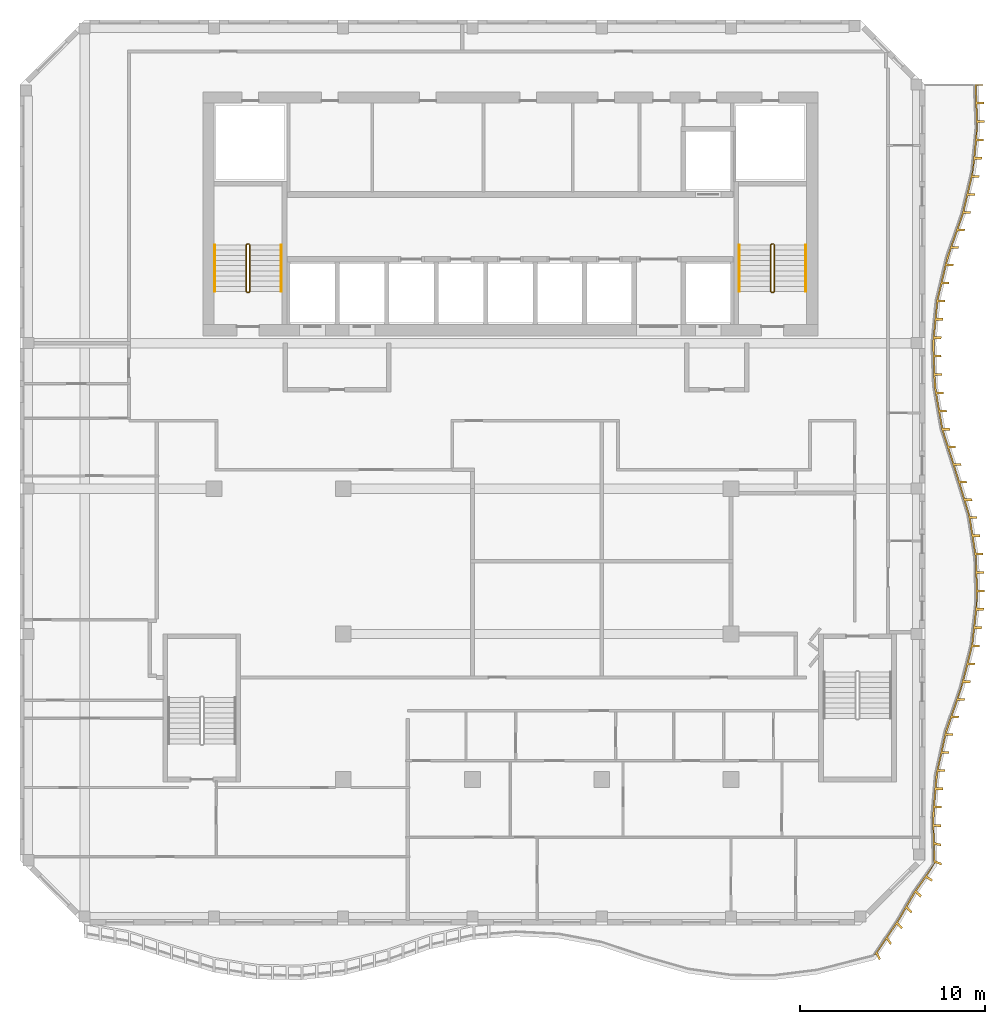
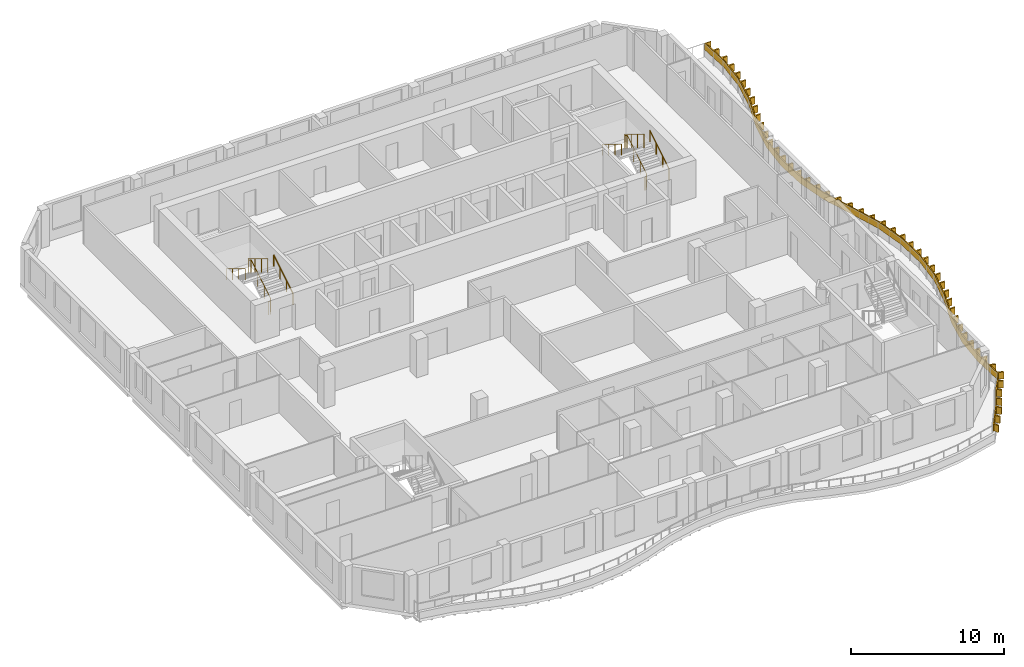
# One storey, part 14 of 14: 6 railings, 1 shading device.
"""IFC4 building model written with IfcOpenShell, lengths in metres."""

from ifc_helpers import new_model, si_unit, direction, frame, origin, origin_2d, place, context, subcontext, project, spatial, polyline, circle, outline, extrude, source, transform, mapped, material, layer, layer_set, type_object, element, save


model = new_model("IFC4")

# Units and contexts
model_context = context("Model", 3, precision=1e-05, world=origin(), true_north=direction((0.0, 1.0)))
body_context = subcontext(model_context, "Body", "Model", "MODEL_VIEW")
ifc_project = project(units=[si_unit("LENGTHUNIT", "METRE"), si_unit("AREAUNIT", "SQUARE_METRE"), si_unit("VOLUMEUNIT", "CUBIC_METRE"), si_unit("PLANEANGLEUNIT", "RADIAN"), si_unit("MASSUNIT", "GRAM", prefix="KILO")], contexts=[model_context])

# Site, building, storey
site_placement = place(None, origin())
site = spatial("IfcSite", under=ifc_project, at=site_placement, CompositionType="ELEMENT")
building_placement = place(site_placement, origin())
building = spatial("IfcBuilding", under=site, at=building_placement, Name="Kilnfold Tower and Market Hall", CompositionType="ELEMENT")
storey_placement = place(building_placement, frame((0.0, 0.0, 315.39990234375)))
storey = spatial("IfcBuildingStorey", under=building, at=storey_placement, Name="L79", CompositionType="ELEMENT", Elevation=315.39990234375)

# Railings
ifc_material_1 = material(Name="Stainless steel 316", Category="steel")
railing_type_1 = type_object("IfcRailingType", Name="CORE STAIR GUARD 1100", PredefinedType="GUARDRAIL", material=ifc_material_1)
railing_1_placement = place(storey_placement, frame((-13.199951171875, 10.75, 0.0)))
element("IfcRailing", 1, at=railing_1_placement, inside=storey, type_object=railing_type_1, Name="L79 ST1 stair guard 1", PredefinedType="GUARDRAIL", context=body_context, shape_type="SweptSolid", body=[
    extrude(circle(Radius=0.02392578125, at=origin_2d()), frame((0.0, 0.0, 1.076171875), z_axis=(1.0, 0.0, 0.0), x_axis=(0.0, 1.0, 0.0)), (0.0, 0.0, 1.0), 0.099853515625),
    extrude(circle(Radius=0.02392578125, at=origin_2d()), frame((0.099853515625, 0.0, 1.076171875), z_axis=(0.271562723297, 0.271562723297, 0.923313259209), x_axis=(-0.707106781187, 0.707106781187, 0.0)), (0.0, 0.0, 1.0), 0.184326171875),
    extrude(circle(Radius=0.02392578125, at=origin_2d()), frame((0.14990234375, 0.050048828125, 1.24609375), z_axis=(0.0, 0.85478489116, 0.518982456201), x_axis=(-1.0, 0.0, 0.0)), (0.0, 0.0, 1.0), 2.9482421875),
    extrude(circle(Radius=0.02392578125, at=origin_2d()), frame((0.14990234375, 2.570068359375, 2.7763671875), z_axis=(-0.707106781187, 0.707106781187, 0.0), x_axis=(-0.707106781187, -0.707106781187, 0.0)), (0.0, 0.0, 1.0), 0.07080078125),
    extrude(circle(Radius=0.02392578125, at=origin_2d()), frame((0.099853515625, 2.6201171875, 2.7763671875), z_axis=(-1.0, 0.0, 0.0), x_axis=(0.0, -1.0, 0.0)), (0.0, 0.0, 1.0), 0.099853515625),
    extrude(circle(Radius=0.02392578125, at=origin_2d()), frame((0.0, 2.6201171875, 2.7763671875), z_axis=(-0.271895245746, -0.271895245746, 0.923117517265), x_axis=(0.707106781187, -0.707106781187, 0.0)), (0.0, 0.0, 1.0), 0.18408203125),
    extrude(circle(Radius=0.02392578125, at=origin_2d()), frame((-0.050048828125, 2.570068359375, 2.9462890625), z_axis=(0.0, -0.85478489116, 0.518982456201), x_axis=(1.0, 0.0, 0.0)), (0.0, 0.0, 1.0), 2.9482421875),
    extrude(circle(Radius=0.02099609375, at=origin_2d()), origin(), (0.0, 0.0, 1.0), 1.052001953125),
    extrude(circle(Radius=0.02099609375, at=origin_2d()), frame((0.099853515625, 0.0, 0.0)), (0.0, 0.0, 1.0), 1.052001953125),
    extrude(circle(Radius=0.02099609375, at=origin_2d()), frame((0.14990234375, 0.050048828125, 0.170166015625)), (0.0, 0.0, 1.0), 1.052001953125),
    extrude(circle(Radius=0.02099609375, at=origin_2d()), frame((0.14990234375, 0.89013671875, 0.68017578125)), (0.0, 0.0, 1.0), 1.052001953125),
    extrude(circle(Radius=0.02099609375, at=origin_2d()), frame((0.14990234375, 1.72998046875, 1.190185546875)), (0.0, 0.0, 1.0), 1.052001953125),
    extrude(circle(Radius=0.02099609375, at=origin_2d()), frame((0.14990234375, 2.570068359375, 1.7001953125)), (0.0, 0.0, 1.0), 1.052001953125),
    extrude(circle(Radius=0.02099609375, at=origin_2d()), frame((0.099853515625, 2.6201171875, 1.7001953125)), (0.0, 0.0, 1.0), 1.052001953125),
    extrude(circle(Radius=0.02099609375, at=origin_2d()), frame((0.0, 2.6201171875, 1.7001953125)), (0.0, 0.0, 1.0), 1.052001953125),
    extrude(circle(Radius=0.02099609375, at=origin_2d()), frame((-0.050048828125, 2.570068359375, 1.8701171875)), (0.0, 0.0, 1.0), 1.052001953125),
    extrude(circle(Radius=0.02099609375, at=origin_2d()), frame((-0.050048828125, 1.72998046875, 2.380126953125)), (0.0, 0.0, 1.0), 1.052001953125),
    extrude(circle(Radius=0.02099609375, at=origin_2d()), frame((-0.050048828125, 0.89013671875, 2.89013671875)), (0.0, 0.0, 1.0), 1.052001953125),
    extrude(circle(Radius=0.02099609375, at=origin_2d()), frame((-0.050048828125, 0.050048828125, 3.400146484375)), (0.0, 0.0, 1.0), 1.052001953125),
])
railing_2_placement = place(storey_placement, frame((15.199951171875, 10.75, 0.0)))
element("IfcRailing", 2, at=railing_2_placement, inside=storey, type_object=railing_type_1, Name="L79 ST2 stair guard 1", PredefinedType="GUARDRAIL", context=body_context, shape_type="SweptSolid", body=[
    extrude(circle(Radius=0.02392578125, at=origin_2d()), frame((0.0, 0.0, 1.076171875), z_axis=(1.0, 0.0, 0.0), x_axis=(0.0, 1.0, 0.0)), (0.0, 0.0, 1.0), 0.10009765625),
    extrude(circle(Radius=0.02392578125, at=origin_2d()), frame((0.10009765625, 0.0, 1.076171875), z_axis=(0.271562723297, 0.271562723297, 0.923313259209), x_axis=(-0.707106781187, 0.707106781187, 0.0)), (0.0, 0.0, 1.0), 0.184326171875),
    extrude(circle(Radius=0.02392578125, at=origin_2d()), frame((0.150146484375, 0.050048828125, 1.24609375), z_axis=(0.0, 0.85478489116, 0.518982456201), x_axis=(-1.0, 0.0, 0.0)), (0.0, 0.0, 1.0), 2.9482421875),
    extrude(circle(Radius=0.02392578125, at=origin_2d()), frame((0.150146484375, 2.570068359375, 2.7763671875), z_axis=(-0.707106781187, 0.707106781187, 0.0), x_axis=(-0.707106781187, -0.707106781187, 0.0)), (0.0, 0.0, 1.0), 0.07080078125),
    extrude(circle(Radius=0.02392578125, at=origin_2d()), frame((0.10009765625, 2.6201171875, 2.7763671875), z_axis=(-1.0, 0.0, 0.0), x_axis=(0.0, -1.0, 0.0)), (0.0, 0.0, 1.0), 0.10009765625),
    extrude(circle(Radius=0.02392578125, at=origin_2d()), frame((0.0, 2.6201171875, 2.7763671875), z_axis=(-0.271895245746, -0.271895245746, 0.923117517265), x_axis=(0.707106781187, -0.707106781187, 0.0)), (0.0, 0.0, 1.0), 0.18408203125),
    extrude(circle(Radius=0.02392578125, at=origin_2d()), frame((-0.050048828125, 2.570068359375, 2.9462890625), z_axis=(0.0, -0.85478489116, 0.518982456201), x_axis=(1.0, 0.0, 0.0)), (0.0, 0.0, 1.0), 2.9482421875),
    extrude(circle(Radius=0.02099609375, at=origin_2d()), origin(), (0.0, 0.0, 1.0), 1.052001953125),
    extrude(circle(Radius=0.02099609375, at=origin_2d()), frame((0.10009765625, 0.0, 0.0)), (0.0, 0.0, 1.0), 1.052001953125),
    extrude(circle(Radius=0.02099609375, at=origin_2d()), frame((0.150146484375, 0.050048828125, 0.170166015625)), (0.0, 0.0, 1.0), 1.052001953125),
    extrude(circle(Radius=0.02099609375, at=origin_2d()), frame((0.150146484375, 0.89013671875, 0.68017578125)), (0.0, 0.0, 1.0), 1.052001953125),
    extrude(circle(Radius=0.02099609375, at=origin_2d()), frame((0.150146484375, 1.72998046875, 1.190185546875)), (0.0, 0.0, 1.0), 1.052001953125),
    extrude(circle(Radius=0.02099609375, at=origin_2d()), frame((0.150146484375, 2.570068359375, 1.7001953125)), (0.0, 0.0, 1.0), 1.052001953125),
    extrude(circle(Radius=0.02099609375, at=origin_2d()), frame((0.10009765625, 2.6201171875, 1.7001953125)), (0.0, 0.0, 1.0), 1.052001953125),
    extrude(circle(Radius=0.02099609375, at=origin_2d()), frame((0.0, 2.6201171875, 1.7001953125)), (0.0, 0.0, 1.0), 1.052001953125),
    extrude(circle(Radius=0.02099609375, at=origin_2d()), frame((-0.050048828125, 2.570068359375, 1.8701171875)), (0.0, 0.0, 1.0), 1.052001953125),
    extrude(circle(Radius=0.02099609375, at=origin_2d()), frame((-0.050048828125, 1.72998046875, 2.380126953125)), (0.0, 0.0, 1.0), 1.052001953125),
    extrude(circle(Radius=0.02099609375, at=origin_2d()), frame((-0.050048828125, 0.89013671875, 2.89013671875)), (0.0, 0.0, 1.0), 1.052001953125),
    extrude(circle(Radius=0.02099609375, at=origin_2d()), frame((-0.050048828125, 0.050048828125, 3.400146484375)), (0.0, 0.0, 1.0), 1.052001953125),
])
ifc_material_2 = material(Name="Stainless steel 316", Category="steel")
railing_type_2 = type_object("IfcRailingType", Name="CORE STAIR HANDRAIL 900", PredefinedType="HANDRAIL", material=ifc_material_2)
railing_3_placement = place(storey_placement, frame((-11.35009765625, 10.800048828125, 0.170166015625)))
element("IfcRailing", 3, at=railing_3_placement, inside=storey, type_object=railing_type_2, Name="L79 ST1 stair handrail 1", PredefinedType="HANDRAIL", context=body_context, shape_type="SweptSolid", body=[
    extrude(circle(Radius=0.02392578125, at=origin_2d()), frame((0.0, 0.0, 0.8759765625), z_axis=(0.0, 0.85478489116, 0.518982456201), x_axis=(-1.0, 0.0, 0.0)), (0.0, 0.0, 1.0), 2.9482421875),
    extrude(circle(Radius=0.02099609375, at=origin_2d()), origin(), (0.0, 0.0, 1.0), 0.851806640625),
    extrude(circle(Radius=0.02099609375, at=origin_2d()), frame((0.0, 0.840087890625, 0.510009765625)), (0.0, 0.0, 1.0), 0.851806640625),
    extrude(circle(Radius=0.02099609375, at=origin_2d()), frame((0.0, 1.679931640625, 1.02001953125)), (0.0, 0.0, 1.0), 0.851806640625),
    extrude(circle(Radius=0.02099609375, at=origin_2d()), frame((0.0, 2.52001953125, 1.530029296875)), (0.0, 0.0, 1.0), 0.851806640625),
])
railing_4_placement = place(storey_placement, frame((-14.949951171875, 13.320068359375, 1.8701171875)))
element("IfcRailing", 4, at=railing_4_placement, inside=storey, type_object=railing_type_2, Name="L79 ST1 stair handrail 2", PredefinedType="HANDRAIL", context=body_context, shape_type="SweptSolid", body=[
    extrude(circle(Radius=0.02392578125, at=origin_2d()), frame((0.0, 0.0, 0.8759765625), z_axis=(0.0, -0.85478489116, 0.518982456201), x_axis=(1.0, 0.0, 0.0)), (0.0, 0.0, 1.0), 2.9482421875),
    extrude(circle(Radius=0.02099609375, at=origin_2d()), origin(), (0.0, 0.0, 1.0), 0.851806640625),
    extrude(circle(Radius=0.02099609375, at=origin_2d()), frame((0.0, -0.840087890625, 0.510009765625)), (0.0, 0.0, 1.0), 0.851806640625),
    extrude(circle(Radius=0.02099609375, at=origin_2d()), frame((0.0, -1.679931640625, 1.02001953125)), (0.0, 0.0, 1.0), 0.851806640625),
    extrude(circle(Radius=0.02099609375, at=origin_2d()), frame((0.0, -2.52001953125, 1.530029296875)), (0.0, 0.0, 1.0), 0.851806640625),
])
railing_5_placement = place(storey_placement, frame((17.050048828125, 10.800048828125, 0.170166015625)))
element("IfcRailing", 5, at=railing_5_placement, inside=storey, type_object=railing_type_2, Name="L79 ST2 stair handrail 1", PredefinedType="HANDRAIL", context=body_context, shape_type="SweptSolid", body=[
    extrude(circle(Radius=0.02392578125, at=origin_2d()), frame((0.0, 0.0, 0.8759765625), z_axis=(0.0, 0.85478489116, 0.518982456201), x_axis=(-1.0, 0.0, 0.0)), (0.0, 0.0, 1.0), 2.9482421875),
    extrude(circle(Radius=0.02099609375, at=origin_2d()), origin(), (0.0, 0.0, 1.0), 0.851806640625),
    extrude(circle(Radius=0.02099609375, at=origin_2d()), frame((0.0, 0.840087890625, 0.510009765625)), (0.0, 0.0, 1.0), 0.851806640625),
    extrude(circle(Radius=0.02099609375, at=origin_2d()), frame((0.0, 1.679931640625, 1.02001953125)), (0.0, 0.0, 1.0), 0.851806640625),
    extrude(circle(Radius=0.02099609375, at=origin_2d()), frame((0.0, 2.52001953125, 1.530029296875)), (0.0, 0.0, 1.0), 0.851806640625),
])
railing_6_placement = place(storey_placement, frame((13.449951171875, 13.320068359375, 1.8701171875)))
element("IfcRailing", 6, at=railing_6_placement, inside=storey, type_object=railing_type_2, Name="L79 ST2 stair handrail 2", PredefinedType="HANDRAIL", context=body_context, shape_type="SweptSolid", body=[
    extrude(circle(Radius=0.02392578125, at=origin_2d()), frame((0.0, 0.0, 0.8759765625), z_axis=(0.0, -0.85478489116, 0.518982456201), x_axis=(1.0, 0.0, 0.0)), (0.0, 0.0, 1.0), 2.9482421875),
    extrude(circle(Radius=0.02099609375, at=origin_2d()), origin(), (0.0, 0.0, 1.0), 0.851806640625),
    extrude(circle(Radius=0.02099609375, at=origin_2d()), frame((0.0, -0.840087890625, 0.510009765625)), (0.0, 0.0, 1.0), 0.851806640625),
    extrude(circle(Radius=0.02099609375, at=origin_2d()), frame((0.0, -1.679931640625, 1.02001953125)), (0.0, 0.0, 1.0), 0.851806640625),
    extrude(circle(Radius=0.02099609375, at=origin_2d()), frame((0.0, -2.52001953125, 1.530029296875)), (0.0, 0.0, 1.0), 0.851806640625),
])

# Shading device
ifc_material_3 = material(Name="Bronze anodised aluminium", Category="aluminium")
ifc_layer = layer(ifc_material_3, 0.550048828125)
ifc_layer_set = layer_set([ifc_layer], Name="Bronze anodised aluminium")
shading_device_type = type_object("IfcShadingDeviceType", Name="BRONZE SLAT FASCIA 550", PredefinedType="USERDEFINED", material=ifc_layer_set)
shared_shape = source(origin(), body_context, "Body", "SweptSolid", [
    extrude(outline(polyline([(21.017578125, -25.422607421875), (20.8642578125, -25.08740234375), (20.74658203125, -25.1416015625), (22.0478515625, -23.214599609375), (22.8994140625, -21.732666015625), (23.98291015625, -20.199951171875), (23.902099609375, -17.666748046875), (24.095703125, -15.333251953125), (24.614013671875, -13.0), (25.4296875, -10.666748046875), (26.021240234375, -8.333251953125), (26.282958984375, -6.0), (26.229736328125, -3.666748046875), (25.858642578125, -1.333251953125), (25.14794921875, 1.0), (24.400146484375, 3.333251953125), (23.994384765625, 5.666748046875), (23.90771484375, 8.0), (24.1357421875, 10.333251953125), (24.69091796875, 12.666748046875), (25.510498046875, 15.0), (26.065185546875, 17.333251953125), (26.292236328125, 19.666748046875), (26.205078125, 22.0), (26.6552734375, 22.0), (26.6572265625, 21.944580078125), (26.287353515625, 21.944580078125), (26.320068359375, 21.065185546875), (26.690185546875, 21.065185546875), (26.694580078125, 20.9453125), (26.32470703125, 20.9453125), (26.357421875, 20.06591796875), (26.727294921875, 20.06591796875), (26.73193359375, 19.946044921875), (26.36181640625, 19.946044921875), (26.314208984375, 19.069091796875), (26.68408203125, 19.069091796875), (26.672607421875, 18.94970703125), (26.302490234375, 18.94970703125), (26.21728515625, 18.07373046875), (26.587158203125, 18.07373046875), (26.57568359375, 17.954345703125), (26.20556640625, 17.954345703125), (26.0859375, 17.084228515625), (26.455810546875, 17.084228515625), (26.42822265625, 16.967529296875), (26.05810546875, 16.967529296875), (25.854736328125, 16.111328125), (26.224609375, 16.111328125), (26.197021484375, 15.99462890625), (25.826904296875, 15.99462890625), (25.623291015625, 15.138427734375), (25.993408203125, 15.138427734375), (25.9658203125, 15.021728515625), (25.595703125, 15.021728515625), (25.30615234375, 14.19091796875), (25.67626953125, 14.19091796875), (25.636474609375, 14.07763671875), (25.2666015625, 14.07763671875), (24.974853515625, 13.247314453125), (25.3447265625, 13.247314453125), (25.304931640625, 13.134033203125), (24.93505859375, 13.134033203125), (24.681884765625, 12.29248046875), (25.0517578125, 12.29248046875), (25.02392578125, 12.17578125), (24.654052734375, 12.17578125), (24.450439453125, 11.319580078125), (24.8203125, 11.319580078125), (24.79248046875, 11.202880859375), (24.422607421875, 11.202880859375), (24.218994140625, 10.346923828125), (24.5888671875, 10.346923828125), (24.575439453125, 10.227783203125), (24.205322265625, 10.227783203125), (24.119873046875, 9.351806640625), (24.48974609375, 9.351806640625), (24.478271484375, 9.232421875), (24.108154296875, 9.232421875), (24.022705078125, 8.356689453125), (24.392578125, 8.356689453125), (24.381103515625, 8.2373046875), (24.010986328125, 8.2373046875), (24.01171875, 7.35888671875), (24.381591796875, 7.35888671875), (24.385986328125, 7.239013671875), (24.01611328125, 7.239013671875), (24.048583984375, 6.359619140625), (24.418701171875, 6.359619140625), (24.423095703125, 6.239501953125), (24.052978515625, 6.239501953125), (24.126953125, 5.364501953125), (24.496826171875, 5.364501953125), (24.517578125, 5.24609375), (24.1474609375, 5.24609375), (24.298095703125, 4.37939453125), (24.668212890625, 4.37939453125), (24.688720703125, 4.260986328125), (24.31884765625, 4.260986328125), (24.469482421875, 3.39404296875), (24.839599609375, 3.39404296875), (24.867919921875, 3.277587890625), (24.497802734375, 3.277587890625), (24.7666015625, 2.439697265625), (25.136474609375, 2.439697265625), (25.173095703125, 2.325439453125), (24.802978515625, 2.325439453125), (25.07177734375, 1.487548828125), (25.44189453125, 1.487548828125), (25.478515625, 1.373291015625), (25.1083984375, 1.373291015625), (25.3701171875, 0.533203125), (25.740234375, 0.533203125), (25.775146484375, 0.418212890625), (25.4052734375, 0.418212890625), (25.66162109375, -0.423583984375), (26.031494140625, -0.423583984375), (26.066650390625, -0.538330078125), (25.696533203125, -0.538330078125), (25.9462890625, -1.381591796875), (26.31640625, -1.381591796875), (26.335205078125, -1.500244140625), (25.965087890625, -1.500244140625), (26.103515625, -2.369384765625), (26.473388671875, -2.369384765625), (26.4921875, -2.48779296875), (26.122314453125, -2.48779296875), (26.260498046875, -3.35693359375), (26.630615234375, -3.35693359375), (26.6494140625, -3.475341796875), (26.279296875, -3.475341796875), (26.325439453125, -4.352783203125), (26.6953125, -4.352783203125), (26.6982421875, -4.47265625), (26.328125, -4.47265625), (26.34814453125, -5.3525390625), (26.71826171875, -5.3525390625), (26.720947265625, -5.472412109375), (26.35107421875, -5.472412109375), (26.32373046875, -6.35009765625), (26.693603515625, -6.35009765625), (26.680419921875, -6.469482421875), (26.310302734375, -6.469482421875), (26.21240234375, -7.343994140625), (26.582275390625, -7.343994140625), (26.56884765625, -7.463134765625), (26.198974609375, -7.463134765625), (26.10009765625, -8.337646484375), (26.47021484375, -8.337646484375), (26.440673828125, -8.453857421875), (26.07080078125, -8.453857421875), (25.8544921875, -9.306884765625), (26.224609375, -9.306884765625), (26.195068359375, -9.423095703125), (25.824951171875, -9.423095703125), (25.608642578125, -10.276123046875), (25.978759765625, -10.276123046875), (25.94921875, -10.392578125), (25.5791015625, -10.392578125), (25.3125, -11.23046875), (25.6826171875, -11.23046875), (25.64306640625, -11.34375), (25.27294921875, -11.34375), (24.982666015625, -12.17431640625), (25.352783203125, -12.17431640625), (25.31298828125, -12.28759765625), (24.943115234375, -12.28759765625), (24.6669921875, -13.12255859375), (25.036865234375, -13.12255859375), (25.010986328125, -13.239501953125), (24.640869140625, -13.239501953125), (24.449951171875, -14.0986328125), (24.820068359375, -14.0986328125), (24.7939453125, -14.2158203125), (24.423828125, -14.2158203125), (24.23291015625, -15.07470703125), (24.60302734375, -15.07470703125), (24.576904296875, -15.19189453125), (24.20703125, -15.19189453125), (24.11474609375, -16.06591796875), (24.48486328125, -16.06591796875), (24.474853515625, -16.185546875), (24.10498046875, -16.185546875), (24.0322265625, -17.0625), (24.402099609375, -17.0625), (24.392333984375, -17.18212890625), (24.022216796875, -17.18212890625), (23.9921875, -18.053466796875), (24.359130859375, -18.07470703125), (24.361328125, -18.19921875), (23.995361328125, -18.171142578125), (24.019775390625, -19.03515625), (24.376953125, -19.111083984375), (24.379150390625, -19.235595703125), (24.023193359375, -19.15283203125), (24.0498046875, -20.017333984375), (24.394775390625, -20.1474609375), (24.39697265625, -20.27197265625), (24.0537109375, -20.135498046875), (23.61376953125, -20.853759765625), (23.92529296875, -21.044677734375), (23.85302734375, -21.147705078125), (23.546142578125, -20.949462890625), (23.052001953125, -21.651611328125), (23.3212890625, -21.9033203125), (23.248779296875, -22.00634765625), (22.98486328125, -21.747802734375), (22.543212890625, -22.50732421875), (22.804931640625, -22.76904296875), (22.7451171875, -22.873046875), (22.4833984375, -22.611328125), (22.0380859375, -23.367431640625), (22.294189453125, -23.63330078125), (22.22216796875, -23.734619140625), (21.971435546875, -23.464599609375), (21.4833984375, -24.177490234375), (21.692138671875, -24.477294921875), (21.619873046875, -24.57861328125), (21.4169921875, -24.274658203125), (20.9306640625, -24.98974609375), (21.08984375, -25.3212890625), (21.017578125, -25.422607421875)])), origin(), (0.0, 0.0, 1.0), 0.550048828125),
])
shading_device_placement = place(storey_placement, frame((0.0, 0.0, 0.550048828125)))
element("IfcShadingDevice", 7, at=shading_device_placement, inside=storey, type_object=shading_device_type, Name="Balcony slat fascia L79", ObjectType="SLAT", PredefinedType="USERDEFINED", context=body_context, shape_type="MappedRepresentation", body=[
    mapped(shared_shape, transform((0.0, 0.0, 0.0))),
])

save(model, "model.ifc")
